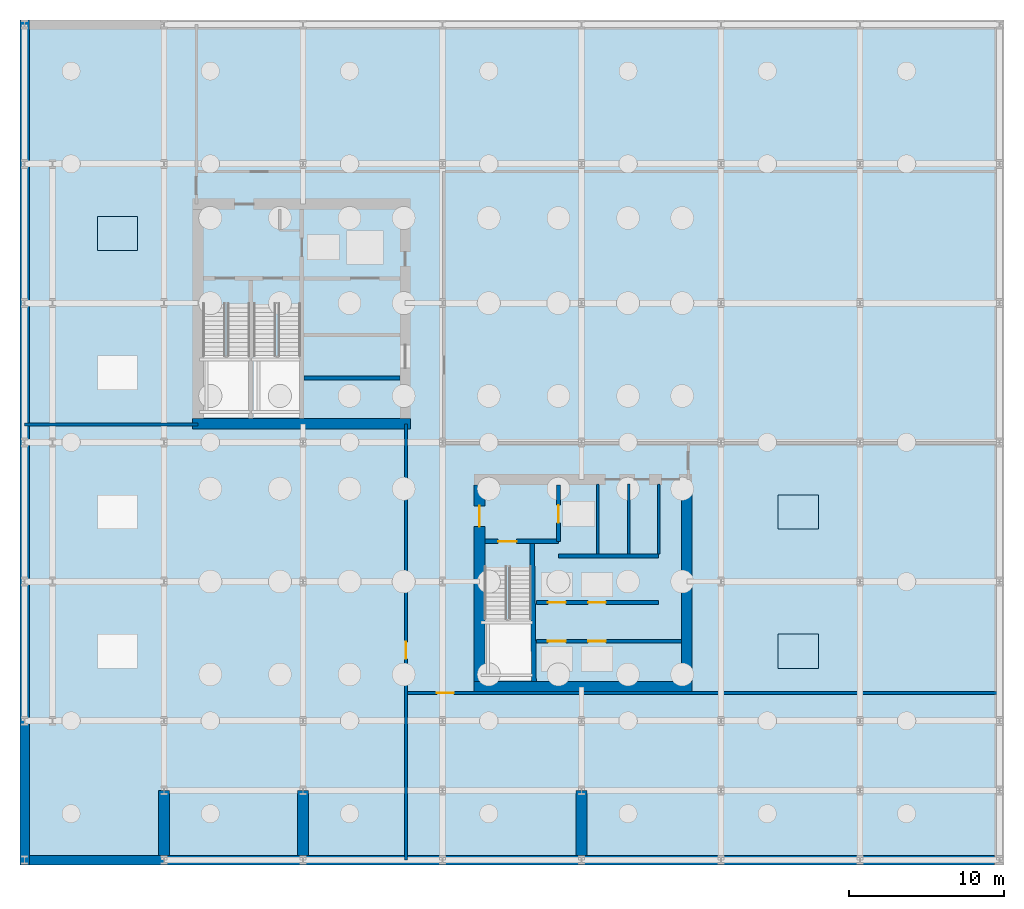
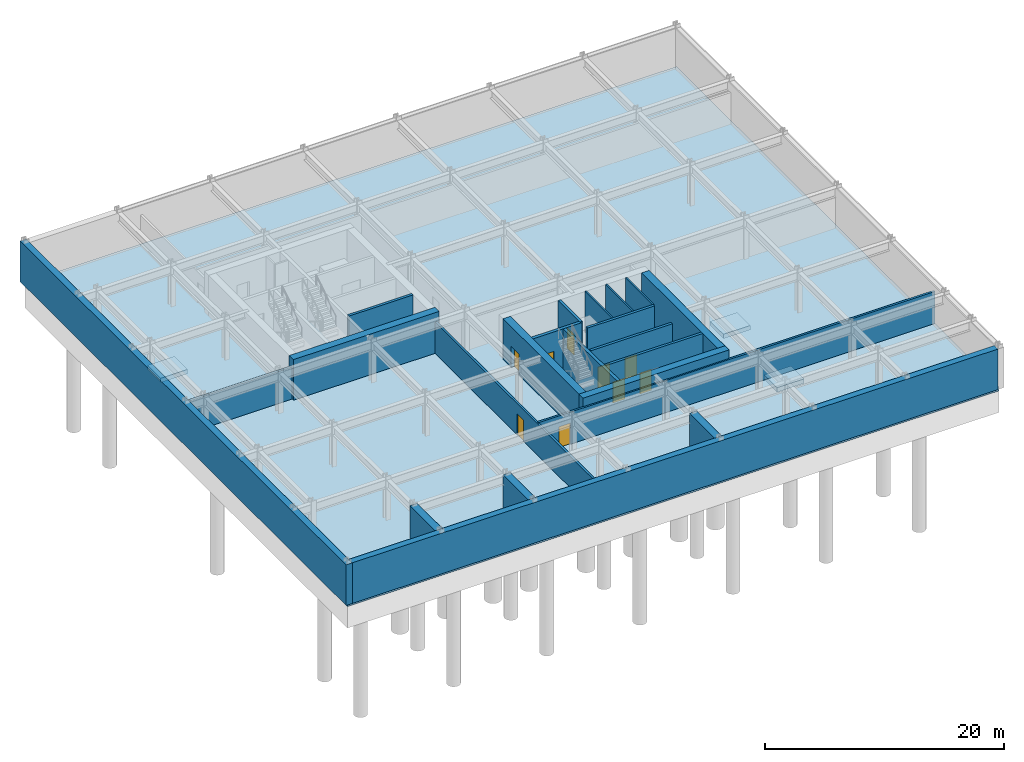
# One storey, part 3 of 7: 22 walls, 9 doors, 4 slabs, 9 openings.
"""IFC4 building model written with IfcOpenShell, lengths in metres."""

from ifc_helpers import new_model, si_unit, direction, frame, frame_2d, origin, place, context, subcontext, project, spatial, polyline, rectangle, outline, extrude, material, layer, layer_set, type_object, element, fill, save


model = new_model("IFC4")

# Units and contexts
model_context = context("Model", 3, precision=1e-05, world=origin(), true_north=direction((0.0, 1.0)))
body_context = subcontext(model_context, "Body", "Model", "MODEL_VIEW")
ifc_project = project(units=[si_unit("LENGTHUNIT", "METRE"), si_unit("AREAUNIT", "SQUARE_METRE"), si_unit("VOLUMEUNIT", "CUBIC_METRE"), si_unit("PLANEANGLEUNIT", "RADIAN"), si_unit("MASSUNIT", "GRAM", prefix="KILO")], contexts=[model_context])

# Site, building, storey
site_placement = place(None, origin())
site = spatial("IfcSite", under=ifc_project, at=site_placement, CompositionType="ELEMENT")
building_placement = place(site_placement, origin())
building = spatial("IfcBuilding", under=site, at=building_placement, Name="Solvaryn Broadcast Tower", CompositionType="ELEMENT")
storey_placement = place(building_placement, frame((0.0, 0.0, -9.0)))
storey = spatial("IfcBuildingStorey", under=building, at=storey_placement, Name="B02", CompositionType="ELEMENT", Elevation=-9.0)

# Slabs
ifc_material_1 = material(Name="Concrete f'c 60 MPa", Category="concrete")
ifc_layer_1 = layer(ifc_material_1, 0.39990234375)
ifc_layer_set_1 = layer_set([ifc_layer_1], Name="SL-BASE-400")
slab_type_1 = type_object("IfcSlabType", Name="SL-BASE-400", PredefinedType="BASESLAB", material=ifc_layer_set_1)
slab_1_placement = place(storey_placement, frame((0.0, 0.0, -0.39990234375)))
element("IfcSlab", 1, at=slab_1_placement, inside=storey, type_object=slab_type_1, Name="B02 Structural Base Slab", PredefinedType="BASESLAB", context=body_context, shape_type="SweptSolid", body=[
    extrude(outline(polyline([(0.0, 0.0), (63.0, 0.0), (63.0, 54.0), (0.0, 54.0), (0.0, 0.0)])), origin(), (0.0, 0.0, 1.0), 0.39990234375),
])
ifc_material_2 = material(Name="Concrete f'c 60 MPa", Category="concrete")
ifc_layer_2 = layer(ifc_material_2, 0.449951171875)
ifc_layer_set_2 = layer_set([ifc_layer_2], Name="SL-PIT-450")
slab_type_2 = type_object("IfcSlabType", Name="SL-PIT-450", PredefinedType="BASESLAB", material=ifc_layer_set_2)
slab_2_placement = place(storey_placement, frame((0.0, 0.0, -3.050048828125)))
element("IfcSlab", 2, at=slab_2_placement, inside=storey, type_object=slab_type_2, Name="B02 Sump Pit Base Slab 4", PredefinedType="BASESLAB", context=body_context, shape_type="SweptSolid", body=[
    extrude(outline(polyline([(4.699951171875, 39.39990234375), (7.300048828125, 39.39990234375), (7.300048828125, 41.60009765625), (4.699951171875, 41.60009765625), (4.699951171875, 39.39990234375)])), origin(), (0.0, 0.0, 1.0), 0.449951171875),
])
slab_3_placement = place(storey_placement, frame((0.0, 0.0, -3.050048828125)))
element("IfcSlab", 3, at=slab_3_placement, inside=storey, type_object=slab_type_2, Name="B02 Sump Pit Base Slab 5", PredefinedType="BASESLAB", context=body_context, shape_type="SweptSolid", body=[
    extrude(outline(polyline([(48.699951171875, 12.39990234375), (51.300048828125, 12.39990234375), (51.300048828125, 14.60009765625), (48.699951171875, 14.60009765625), (48.699951171875, 12.39990234375)])), origin(), (0.0, 0.0, 1.0), 0.449951171875),
])
slab_4_placement = place(storey_placement, frame((0.0, 0.0, -3.050048828125)))
element("IfcSlab", 4, at=slab_4_placement, inside=storey, type_object=slab_type_2, Name="B02 Sump Pit Base Slab 6", PredefinedType="BASESLAB", context=body_context, shape_type="SweptSolid", body=[
    extrude(outline(polyline([(48.699951171875, 21.39990234375), (51.300048828125, 21.39990234375), (51.300048828125, 23.60009765625), (48.699951171875, 23.60009765625), (48.699951171875, 21.39990234375)])), origin(), (0.0, 0.0, 1.0), 0.449951171875),
])

# Walls
ifc_material_3 = material(Name="Concrete f'c 70 MPa", Category="concrete")
ifc_layer_3 = layer(ifc_material_3, 0.699951171875)
ifc_layer_set_3 = layer_set([ifc_layer_3], Name="CW-SHEAR-700")
wall_type_1 = type_object("IfcWallType", Name="CW-SHEAR-700", PredefinedType="SHEAR", material=ifc_layer_set_3)
for number, where, z_axis, x_axis, name in (
    (5, (9.0, 0.300048828125, 0.0), (0.0, 0.0, 1.0), (0.0, 1.0, 0.0), "B02 Basement Shear Buttress 1"),
    (6, (18.0, 0.300048828125, 0.0), (0.0, 0.0, 1.0), (0.0, 1.0, 0.0), "B02 Basement Shear Buttress 2"),
    (7, (36.0, 0.300048828125, 0.0), (0.0, 0.0, 1.0), (0.0, 1.0, 0.0), "B02 Basement Shear Buttress 3"),
):
    element("IfcWall", number, at=place(storey_placement, frame(where, z_axis=z_axis, x_axis=x_axis)), inside=storey, type_object=wall_type_1, Name=name, PredefinedType="SHEAR", context=body_context, shape_type="SweptSolid", body=[
        extrude(rectangle(XDim=4.199951171875, YDim=0.699951171875, at=frame_2d((2.10009765625, 0.0))), origin(), (0.0, 0.0, 1.0), 4.14990234375),
    ])
for number, where, z_axis, x_axis, name in (
    (8, (10.85009765625, 28.199951171875, 0.0), (0.0, 0.0, 1.0), (1.0, 0.0, 0.0), "B02 West Core South Shear Wall"),
    (9, (29.050048828125, 11.199951171875, 0.0), (0.0, 0.0, 1.0), (1.0, 0.0, 0.0), "B02 East Core South Shear Wall"),
):
    element("IfcWall", number, at=place(storey_placement, frame(where, z_axis=z_axis, x_axis=x_axis)), inside=storey, type_object=wall_type_1, Name=name, PredefinedType="SHEAR", context=body_context, shape_type="SweptSolid", body=[
        extrude(rectangle(XDim=14.099853515625, YDim=0.699951171875, at=frame_2d((7.0498046875, 0.0))), origin(), (0.0, 0.0, 1.0), 4.14990234375),
    ])

# Wall, opening, door
wall_1_placement = place(storey_placement, frame((29.39990234375, 24.25, 0.0), z_axis=(0.0, 0.0, 1.0), x_axis=(0.0, -1.0, 0.0)))
wall_1 = element("IfcWall", 10, at=wall_1_placement, inside=storey, type_object=wall_type_1, Name="B02 East Core West Shear Wall", PredefinedType="SHEAR", context=body_context, shape_type="SweptSolid", body=[
    extrude(rectangle(XDim=12.699951171875, YDim=0.699951171875, at=frame_2d((6.35009765625, 0.0))), origin(), (0.0, 0.0, 1.0), 4.14990234375),
])
opening_1_placement = place(wall_1_placement, frame((1.35009765625, 0.0, 0.0)))
opening_1 = element("IfcOpeningElement", 11, at=opening_1_placement, cuts=wall_1, Name="Opening FD90B", PredefinedType="OPENING", context=body_context, shape_type="SweptSolid", body=[
    extrude(rectangle(XDim=1.35009765625, YDim=2.14990234375, at=frame_2d((0.675048828125, 1.074951171875))), frame((0.0, 0.360107421875, 0.0), z_axis=(0.0, -1.0, 0.0), x_axis=(1.0, 0.0, 0.0)), (0.0, 0.0, 1.0), 0.719970703125),
])
ifc_material_4 = material(Name="Flush Acoustic Steel and Timber Door Assembly", Category="steel")
door_type_1 = type_object("IfcDoorType", Name="FD90-LOBBY-1350X2150", OperationType="NOTDEFINED", PredefinedType="DOOR", material=ifc_material_4)
door_1_placement = place(opening_1_placement, origin())
door_1 = element("IfcDoor", 12, at=door_1_placement, inside=storey, type_object=door_type_1, Name="B02 East FSAE Lobby Door", OperationType="SINGLE_SWING_RIGHT", OverallHeight=2.14990234375, OverallWidth=1.35009765625, PredefinedType="DOOR", context=body_context, shape_type="SweptSolid", body=[
    extrude(rectangle(XDim=1.35009765625, YDim=2.14990234375, at=frame_2d((0.675048828125, 1.074951171875))), frame((0.0, 0.02490234375, 0.0), z_axis=(0.0, -1.0, 0.0), x_axis=(1.0, 0.0, 0.0)), (0.0, 0.0, 1.0), 0.050048828125),
])
fill(opening_1, door_1)

# Walls
wall_2_placement = place(storey_placement, frame((42.800048828125, 11.550048828125, 0.0), z_axis=(0.0, 0.0, 1.0), x_axis=(0.0, 1.0, 0.0)))
element("IfcWall", 13, at=wall_2_placement, inside=storey, type_object=wall_type_1, Name="B02 East Core East Shear Wall", PredefinedType="SHEAR", context=body_context, shape_type="SweptSolid", body=[
    extrude(rectangle(XDim=12.699951171875, YDim=0.699951171875, at=frame_2d((6.35009765625, 0.0))), origin(), (0.0, 0.0, 1.0), 4.14990234375),
])
ifc_material_5 = material(Name="Concrete f'c 60 MPa", Category="concrete")
ifc_layer_4 = layer(ifc_material_5, 0.60009765625)
ifc_layer_set_4 = layer_set([ifc_layer_4], Name="EW-BSMT-600")
wall_type_2 = type_object("IfcWallType", Name="EW-BSMT-600", PredefinedType="SOLIDWALL", material=ifc_layer_set_4)
wall_3_placement = place(storey_placement, frame((0.0, -0.300048828125, 0.0), z_axis=(0.0, 0.0, 1.0), x_axis=(0.0, 1.0, 0.0)))
element("IfcWall", 14, at=wall_3_placement, inside=storey, type_object=wall_type_2, Name="B02 Perimeter Retaining Wall W", PredefinedType="SOLIDWALL", context=body_context, shape_type="SweptSolid", body=[
    extrude(rectangle(XDim=54.60009765625, YDim=0.60009765625, at=frame_2d((27.300048828125, 0.0))), origin(), (0.0, 0.0, 1.0), 4.14990234375),
])
wall_4_placement = place(storey_placement, frame((62.699951171875, 0.0, 0.0), z_axis=(0.0, 0.0, 1.0), x_axis=(-1.0, 0.0, 0.0)))
element("IfcWall", 15, at=wall_4_placement, inside=storey, type_object=wall_type_2, Name="B02 Perimeter Retaining Wall S", PredefinedType="SOLIDWALL", context=body_context, shape_type="SweptSolid", body=[
    extrude(rectangle(XDim=62.39990234375, YDim=0.60009765625, at=frame_2d((31.199951171875, 0.0))), origin(), (0.0, 0.0, 1.0), 4.14990234375),
])
ifc_material_6 = material(Name="Metal-Stud Service Core Partition")
ifc_layer_5 = layer(ifc_material_6, 0.14990234375)
ifc_layer_set_5 = layer_set([ifc_layer_5], Name="IW-PART-150")
wall_type_3 = type_object("IfcWallType", Name="IW-PART-150", PredefinedType="PARTITIONING", material=ifc_layer_set_5)
for number, where, z_axis, x_axis, name in (
    (16, (37.050048828125, 19.780029296875, 0.0), (0.0, 0.0, 1.0), (0.0, 1.0, 0.0), "B02 Interior Partition IW-B02-CE-FL2E"),
    (17, (39.050048828125, 19.780029296875, 0.0), (0.0, 0.0, 1.0), (0.0, 1.0, 0.0), "B02 Interior Partition IW-B02-CE-V1"),
    (18, (40.97998046875, 19.780029296875, 0.0), (0.0, 0.0, 1.0), (0.0, 1.0, 0.0), "B02 Interior Partition IW-B02-CE-V3"),
):
    element("IfcWall", number, at=place(storey_placement, frame(where, z_axis=z_axis, x_axis=x_axis)), inside=storey, type_object=wall_type_3, Name=name, PredefinedType="PARTITIONING", context=body_context, shape_type="SweptSolid", body=[
        extrude(rectangle(XDim=4.52001953125, YDim=0.14990234375, at=frame_2d((2.260009765625, 0.0))), origin(), (0.0, 0.0, 1.0), 4.14990234375),
    ])

# Wall, opening, door
ifc_material_7 = material(Name="Gypsum Fire-Rated Shaftwall Assembly", Category="concrete")
ifc_layer_6 = layer(ifc_material_7, 0.199951171875)
ifc_layer_set_6 = layer_set([ifc_layer_6], Name="IW-RATED-200")
wall_type_4 = type_object("IfcWallType", Name="IW-RATED-200", PredefinedType="PARTITIONING", material=ifc_layer_set_6)
wall_5_placement = place(storey_placement, frame((24.64990234375, 0.0, 0.0), z_axis=(0.0, 0.0, 1.0), x_axis=(0.0, 1.0, 0.0)))
wall_5 = element("IfcWall", 19, at=wall_5_placement, inside=storey, type_object=wall_type_4, Name="B02 Interior Partition IW-B02-BW1", PredefinedType="PARTITIONING", context=body_context, shape_type="SweptSolid", body=[
    extrude(rectangle(XDim=28.199951171875, YDim=0.199951171875, at=frame_2d((14.10009765625, 0.0))), origin(), (0.0, 0.0, 1.0), 3.202880859375),
])
opening_2_placement = place(wall_5_placement, frame((13.0, 0.0, 0.0)))
opening_2 = element("IfcOpeningElement", 20, at=opening_2_placement, cuts=wall_5, Name="Opening FD90C", PredefinedType="OPENING", context=body_context, shape_type="SweptSolid", body=[
    extrude(rectangle(XDim=1.10009765625, YDim=2.14990234375, at=frame_2d((0.550048828125, 1.074951171875))), frame((0.0, 0.110107421875, 0.0), z_axis=(0.0, -1.0, 0.0), x_axis=(1.0, 0.0, 0.0)), (0.0, 0.0, 1.0), 0.219970703125),
])
ifc_material_8 = material(Name="Flush Acoustic Steel and Timber Door Assembly", Category="steel")
door_type_2 = type_object("IfcDoorType", Name="FD90-PLANT-1100X2150", OperationType="NOTDEFINED", PredefinedType="DOOR", material=ifc_material_8)
door_2_placement = place(opening_2_placement, origin())
door_2 = element("IfcDoor", 21, at=door_2_placement, inside=storey, type_object=door_type_2, Name="B02 Door DR-B02-BD1", OperationType="SINGLE_SWING_RIGHT", OverallHeight=2.14990234375, OverallWidth=1.10009765625, PredefinedType="DOOR", context=body_context, shape_type="SweptSolid", body=[
    extrude(rectangle(XDim=1.10009765625, YDim=2.14990234375, at=frame_2d((0.550048828125, 1.074951171875))), frame((0.0, 0.02490234375, 0.0), z_axis=(0.0, -1.0, 0.0), x_axis=(1.0, 0.0, 0.0)), (0.0, 0.0, 1.0), 0.050048828125),
])
fill(opening_2, door_2)

# Wall
wall_6_placement = place(storey_placement, frame((0.0, 28.14990234375, 0.0), z_axis=(0.0, 0.0, 1.0), x_axis=(1.0, 0.0, 0.0)))
element("IfcWall", 22, at=wall_6_placement, inside=storey, type_object=wall_type_4, Name="B02 Interior Partition IW-B02-BW2", PredefinedType="PARTITIONING", context=body_context, shape_type="SweptSolid", body=[
    extrude(rectangle(XDim=11.199951171875, YDim=0.199951171875, at=frame_2d((5.60009765625, 0.0))), origin(), (0.0, 0.0, 1.0), 3.27490234375),
])

# Wall, opening, door
wall_7_placement = place(storey_placement, frame((24.64990234375, 10.800048828125, 0.0), z_axis=(0.0, 0.0, 1.0), x_axis=(1.0, 0.0, 0.0)))
wall_7 = element("IfcWall", 23, at=wall_7_placement, inside=storey, type_object=wall_type_4, Name="B02 Interior Partition IW-B02-BW8", PredefinedType="PARTITIONING", context=body_context, shape_type="SweptSolid", body=[
    extrude(rectangle(XDim=38.35009765625, YDim=0.199951171875, at=frame_2d((19.175048828125, 0.0))), origin(), (0.0, 0.0, 1.0), 3.27490234375),
])
opening_3_placement = place(wall_7_placement, frame((2.0, 0.0, 0.0)))
opening_3 = element("IfcOpeningElement", 24, at=opening_3_placement, cuts=wall_7, Name="Opening FD90C", PredefinedType="OPENING", context=body_context, shape_type="SweptSolid", body=[
    extrude(rectangle(XDim=1.10009765625, YDim=2.14990234375, at=frame_2d((0.550048828125, 1.074951171875))), frame((0.0, 0.110107421875, 0.0), z_axis=(0.0, -1.0, 0.0), x_axis=(1.0, 0.0, 0.0)), (0.0, 0.0, 1.0), 0.219970703125),
])
door_3_placement = place(opening_3_placement, origin())
door_3 = element("IfcDoor", 25, at=door_3_placement, inside=storey, type_object=door_type_2, Name="B02 Door DR-B02-BD2", OperationType="SINGLE_SWING_LEFT", OverallHeight=2.14990234375, OverallWidth=1.10009765625, PredefinedType="DOOR", context=body_context, shape_type="SweptSolid", body=[
    extrude(rectangle(XDim=1.10009765625, YDim=2.14990234375, at=frame_2d((0.550048828125, 1.074951171875))), frame((0.0, 0.02490234375, 0.0), z_axis=(0.0, -1.0, 0.0), x_axis=(1.0, 0.0, 0.0)), (0.0, 0.0, 1.0), 0.050048828125),
])
fill(opening_3, door_3)

# Wall
ifc_material_9 = material(Name="Concrete f'c 60 MPa", Category="concrete")
ifc_layer_7 = layer(ifc_material_9, 0.25)
ifc_layer_set_7 = layer_set([ifc_layer_7], Name="SW-SHAFT-250")
wall_type_5 = type_object("IfcWallType", Name="SW-SHAFT-250", PredefinedType="PARTITIONING", material=ifc_layer_set_7)
wall_8_placement = place(storey_placement, frame((18.070068359375, 31.14990234375, 0.0), z_axis=(0.0, 0.0, 1.0), x_axis=(1.0, 0.0, 0.0)))
element("IfcWall", 26, at=wall_8_placement, inside=storey, type_object=wall_type_5, Name="B02 High-Rise Lift Bank South Wall", PredefinedType="PARTITIONING", context=body_context, shape_type="SweptSolid", body=[
    extrude(rectangle(XDim=6.179931640625, YDim=0.25, at=frame_2d((3.08984375, 0.0))), origin(), (0.0, 0.0, 1.0), 4.14990234375),
])

# Wall, opening, door
wall_9_placement = place(storey_placement, frame((34.5, 20.60009765625, 0.0), z_axis=(0.0, 0.0, 1.0), x_axis=(0.0, 1.0, 0.0)))
wall_9 = element("IfcWall", 27, at=wall_9_placement, inside=storey, type_object=wall_type_5, Name="B02 East FSAE Lobby East Wall", PredefinedType="PARTITIONING", context=body_context, shape_type="SweptSolid", body=[
    extrude(rectangle(XDim=3.64990234375, YDim=0.25, at=frame_2d((1.824951171875, 0.0))), origin(), (0.0, 0.0, 1.0), 4.14990234375),
])
opening_4_placement = place(wall_9_placement, frame((1.199951171875, 0.0, 0.0)))
opening_4 = element("IfcOpeningElement", 28, at=opening_4_placement, cuts=wall_9, Name="Opening LD01", PredefinedType="OPENING", context=body_context, shape_type="SweptSolid", body=[
    extrude(rectangle(XDim=1.14990234375, YDim=2.14990234375, at=frame_2d((0.574951171875, 1.074951171875))), frame((0.0, 0.135009765625, 0.0), z_axis=(0.0, -1.0, 0.0), x_axis=(1.0, 0.0, 0.0)), (0.0, 0.0, 1.0), 0.27001953125),
])
ifc_material_10 = material(Name="Flush Acoustic Steel and Timber Door Assembly", Category="steel")
door_type_3 = type_object("IfcDoorType", Name="LD-LIFT-1150X2150", OperationType="NOTDEFINED", PredefinedType="DOOR", material=ifc_material_10)
door_4_placement = place(opening_4_placement, origin())
door_4 = element("IfcDoor", 29, at=door_4_placement, inside=storey, type_object=door_type_3, Name="B02 FL2 Lift Landing Door", OperationType="DOUBLE_DOOR_SLIDING", OverallHeight=2.14990234375, OverallWidth=1.14990234375, PredefinedType="DOOR", context=body_context, shape_type="SweptSolid", body=[
    extrude(rectangle(XDim=1.14990234375, YDim=2.14990234375, at=frame_2d((0.574951171875, 1.074951171875))), frame((0.0, 0.02490234375, 0.0), z_axis=(0.0, -1.0, 0.0), x_axis=(1.0, 0.0, 0.0)), (0.0, 0.0, 1.0), 0.050048828125),
])
fill(opening_4, door_4)

# Wall
wall_10_placement = place(storey_placement, frame((34.5, 19.64990234375, 0.0), z_axis=(0.0, 0.0, 1.0), x_axis=(1.0, 0.0, 0.0)))
element("IfcWall", 30, at=wall_10_placement, inside=storey, type_object=wall_type_5, Name="B02 East Core Restroom South Wall", PredefinedType="PARTITIONING", context=body_context, shape_type="SweptSolid", body=[
    extrude(rectangle(XDim=6.47998046875, YDim=0.25, at=frame_2d((3.239990234375, 0.0))), origin(), (0.0, 0.0, 1.0), 4.14990234375),
])

# Wall, openings, doors
wall_11_placement = place(storey_placement, frame((33.070068359375, 14.14990234375, 0.0), z_axis=(0.0, 0.0, 1.0), x_axis=(1.0, 0.0, 0.0)))
wall_11 = element("IfcWall", 31, at=wall_11_placement, inside=storey, type_object=wall_type_5, Name="B02 East Lift Bank South Wall", PredefinedType="PARTITIONING", context=body_context, shape_type="SweptSolid", body=[
    extrude(rectangle(XDim=9.3798828125, YDim=0.25, at=frame_2d((4.68994140625, 0.0))), origin(), (0.0, 0.0, 1.0), 4.14990234375),
])
opening_5_placement = place(wall_11_placement, frame((0.7548828125, 0.0, 0.0)))
opening_5 = element("IfcOpeningElement", 32, at=opening_5_placement, cuts=wall_11, Name="Opening LD01", PredefinedType="OPENING", context=body_context, shape_type="SweptSolid", body=[
    extrude(rectangle(XDim=1.14990234375, YDim=2.14990234375, at=frame_2d((0.574951171875, 1.074951171875))), frame((0.0, 0.135009765625, 0.0), z_axis=(0.0, -1.0, 0.0), x_axis=(1.0, 0.0, 0.0)), (0.0, 0.0, 1.0), 0.27001953125),
])
opening_6_placement = place(wall_11_placement, frame((3.35498046875, 0.0, 0.0)))
opening_6 = element("IfcOpeningElement", 33, at=opening_6_placement, cuts=wall_11, Name="Opening LD01", PredefinedType="OPENING", context=body_context, shape_type="SweptSolid", body=[
    extrude(rectangle(XDim=1.14990234375, YDim=2.14990234375, at=frame_2d((0.574951171875, 1.074951171875))), frame((0.0, 0.135009765625, 0.0), z_axis=(0.0, -1.0, 0.0), x_axis=(1.0, 0.0, 0.0)), (0.0, 0.0, 1.0), 0.27001953125),
])
door_5_placement = place(opening_5_placement, origin())
door_5 = element("IfcDoor", 34, at=door_5_placement, inside=storey, type_object=door_type_3, Name="B02 PL1 Lift Landing Door", OperationType="DOUBLE_DOOR_SLIDING", OverallHeight=2.14990234375, OverallWidth=1.14990234375, PredefinedType="DOOR", context=body_context, shape_type="SweptSolid", body=[
    extrude(rectangle(XDim=1.14990234375, YDim=2.14990234375, at=frame_2d((0.574951171875, 1.074951171875))), frame((0.0, 0.02490234375, 0.0), z_axis=(0.0, -1.0, 0.0), x_axis=(1.0, 0.0, 0.0)), (0.0, 0.0, 1.0), 0.050048828125),
])
fill(opening_5, door_5)
door_6_placement = place(opening_6_placement, origin())
door_6 = element("IfcDoor", 35, at=door_6_placement, inside=storey, type_object=door_type_3, Name="B02 PL2 Lift Landing Door", OperationType="DOUBLE_DOOR_SLIDING", OverallHeight=2.14990234375, OverallWidth=1.14990234375, PredefinedType="DOOR", context=body_context, shape_type="SweptSolid", body=[
    extrude(rectangle(XDim=1.14990234375, YDim=2.14990234375, at=frame_2d((0.574951171875, 1.074951171875))), frame((0.0, 0.02490234375, 0.0), z_axis=(0.0, -1.0, 0.0), x_axis=(1.0, 0.0, 0.0)), (0.0, 0.0, 1.0), 0.050048828125),
])
fill(opening_6, door_6)

wall_12_placement = place(storey_placement, frame((40.97998046875, 16.64990234375, 0.0), z_axis=(0.0, 0.0, 1.0), x_axis=(-1.0, 0.0, 0.0)))
wall_12 = element("IfcWall", 36, at=wall_12_placement, inside=storey, type_object=wall_type_5, Name="B02 East Lift Bank North Wall", PredefinedType="PARTITIONING", context=body_context, shape_type="SweptSolid", body=[
    extrude(rectangle(XDim=7.909912109375, YDim=0.25, at=frame_2d((3.955078125, 0.0))), origin(), (0.0, 0.0, 1.0), 4.14990234375),
])
opening_7_placement = place(wall_12_placement, frame((6.0048828125, 0.0, 0.0)))
opening_7 = element("IfcOpeningElement", 37, at=opening_7_placement, cuts=wall_12, Name="Opening LD01", PredefinedType="OPENING", context=body_context, shape_type="SweptSolid", body=[
    extrude(rectangle(XDim=1.14990234375, YDim=2.14990234375, at=frame_2d((0.574951171875, 1.074951171875))), frame((0.0, 0.135009765625, 0.0), z_axis=(0.0, -1.0, 0.0), x_axis=(1.0, 0.0, 0.0)), (0.0, 0.0, 1.0), 0.27001953125),
])
opening_8_placement = place(wall_12_placement, frame((3.405029296875, 0.0, 0.0)))
opening_8 = element("IfcOpeningElement", 38, at=opening_8_placement, cuts=wall_12, Name="Opening LD01", PredefinedType="OPENING", context=body_context, shape_type="SweptSolid", body=[
    extrude(rectangle(XDim=1.14990234375, YDim=2.14990234375, at=frame_2d((0.574951171875, 1.074951171875))), frame((0.0, 0.135009765625, 0.0), z_axis=(0.0, -1.0, 0.0), x_axis=(1.0, 0.0, 0.0)), (0.0, 0.0, 1.0), 0.27001953125),
])
door_7_placement = place(opening_7_placement, origin())
door_7 = element("IfcDoor", 39, at=door_7_placement, inside=storey, type_object=door_type_3, Name="B02 PL3 Lift Landing Door", OperationType="DOUBLE_DOOR_SLIDING", OverallHeight=2.14990234375, OverallWidth=1.14990234375, PredefinedType="DOOR", context=body_context, shape_type="SweptSolid", body=[
    extrude(rectangle(XDim=1.14990234375, YDim=2.14990234375, at=frame_2d((0.574951171875, 1.074951171875))), frame((0.0, 0.02490234375, 0.0), z_axis=(0.0, -1.0, 0.0), x_axis=(1.0, 0.0, 0.0)), (0.0, 0.0, 1.0), 0.050048828125),
])
fill(opening_7, door_7)
door_8_placement = place(opening_8_placement, origin())
door_8 = element("IfcDoor", 40, at=door_8_placement, inside=storey, type_object=door_type_3, Name="B02 PL4 Lift Landing Door", OperationType="DOUBLE_DOOR_SLIDING", OverallHeight=2.14990234375, OverallWidth=1.14990234375, PredefinedType="DOOR", context=body_context, shape_type="SweptSolid", body=[
    extrude(rectangle(XDim=1.14990234375, YDim=2.14990234375, at=frame_2d((0.574951171875, 1.074951171875))), frame((0.0, 0.02490234375, 0.0), z_axis=(0.0, -1.0, 0.0), x_axis=(1.0, 0.0, 0.0)), (0.0, 0.0, 1.0), 0.050048828125),
])
fill(opening_8, door_8)

# Wall
ifc_material_11 = material(Name="Concrete f'c 70 MPa", Category="concrete")
ifc_layer_8 = layer(ifc_material_11, 0.300048828125)
ifc_layer_set_8 = layer_set([ifc_layer_8], Name="SW-SHAFT-300")
wall_type_6 = type_object("IfcWallType", Name="SW-SHAFT-300", PredefinedType="SHEAR", material=ifc_layer_set_8)
wall_13_placement = place(storey_placement, frame((32.919921875, 11.550048828125, 0.0), z_axis=(0.0, 0.0, 1.0), x_axis=(-0.01331804616, 0.99991131089, 0.0)))
element("IfcWall", 41, at=wall_13_placement, inside=storey, type_object=wall_type_6, Name="B02 Stair 3 East Shear Wall", PredefinedType="SHEAR", context=body_context, shape_type="SweptSolid", body=[
    extrude(rectangle(XDim=9.000732421875, YDim=0.300048828125, at=frame_2d((4.50048828125, 0.0))), origin(), (0.0, 0.0, 1.0), 4.14990234375),
])

# Wall, opening, door
wall_14_placement = place(storey_placement, frame((34.5, 20.60009765625, 0.0), z_axis=(0.0, 0.0, 1.0), x_axis=(-1.0, 0.0, 0.0)))
wall_14 = element("IfcWall", 42, at=wall_14_placement, inside=storey, type_object=wall_type_6, Name="B02 East FSAE Lobby South Wall", PredefinedType="SHEAR", context=body_context, shape_type="SweptSolid", body=[
    extrude(rectangle(XDim=4.75, YDim=0.300048828125, at=frame_2d((2.375, 0.0))), origin(), (0.0, 0.0, 1.0), 4.14990234375),
])
opening_9_placement = place(wall_14_placement, frame((2.699951171875, 0.0, 0.0)))
opening_9 = element("IfcOpeningElement", 43, at=opening_9_placement, cuts=wall_14, Name="Opening FD90A", PredefinedType="OPENING", context=body_context, shape_type="SweptSolid", body=[
    extrude(rectangle(XDim=1.199951171875, YDim=2.14990234375, at=frame_2d((0.60009765625, 1.074951171875))), frame((0.0, 0.159912109375, 0.0), z_axis=(0.0, -1.0, 0.0), x_axis=(1.0, 0.0, 0.0)), (0.0, 0.0, 1.0), 0.320068359375),
])
ifc_material_12 = material(Name="Flush Acoustic Steel and Timber Door Assembly", Category="steel")
door_type_4 = type_object("IfcDoorType", Name="FD90-STAIR-1200X2150", OperationType="NOTDEFINED", PredefinedType="DOOR", material=ifc_material_12)
door_9_placement = place(opening_9_placement, origin())
door_9 = element("IfcDoor", 44, at=door_9_placement, inside=storey, type_object=door_type_4, Name="B02 Stair 3 Fire Door", OperationType="SINGLE_SWING_LEFT", OverallHeight=2.14990234375, OverallWidth=1.199951171875, PredefinedType="DOOR", context=body_context, shape_type="SweptSolid", body=[
    extrude(rectangle(XDim=1.199951171875, YDim=2.14990234375, at=frame_2d((0.60009765625, 1.074951171875))), frame((0.0, 0.02490234375, 0.0), z_axis=(0.0, -1.0, 0.0), x_axis=(1.0, 0.0, 0.0)), (0.0, 0.0, 1.0), 0.050048828125),
])
fill(opening_9, door_9)

save(model, "model.ifc")
